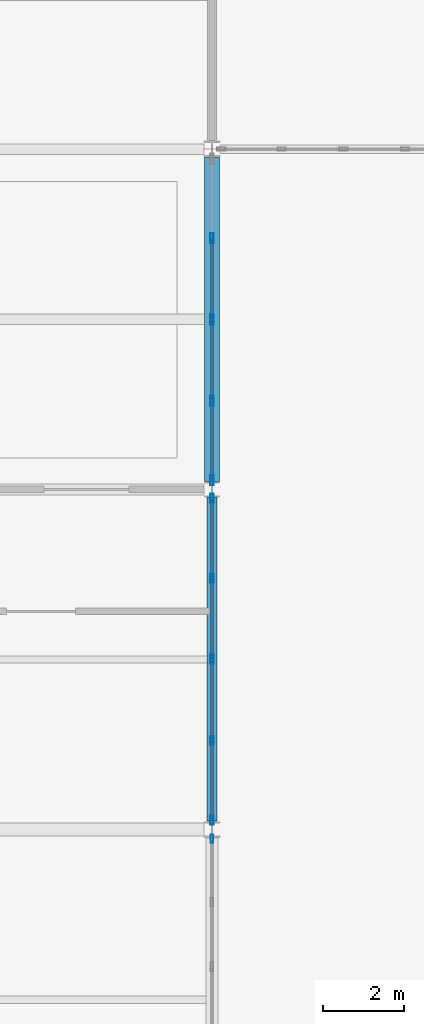
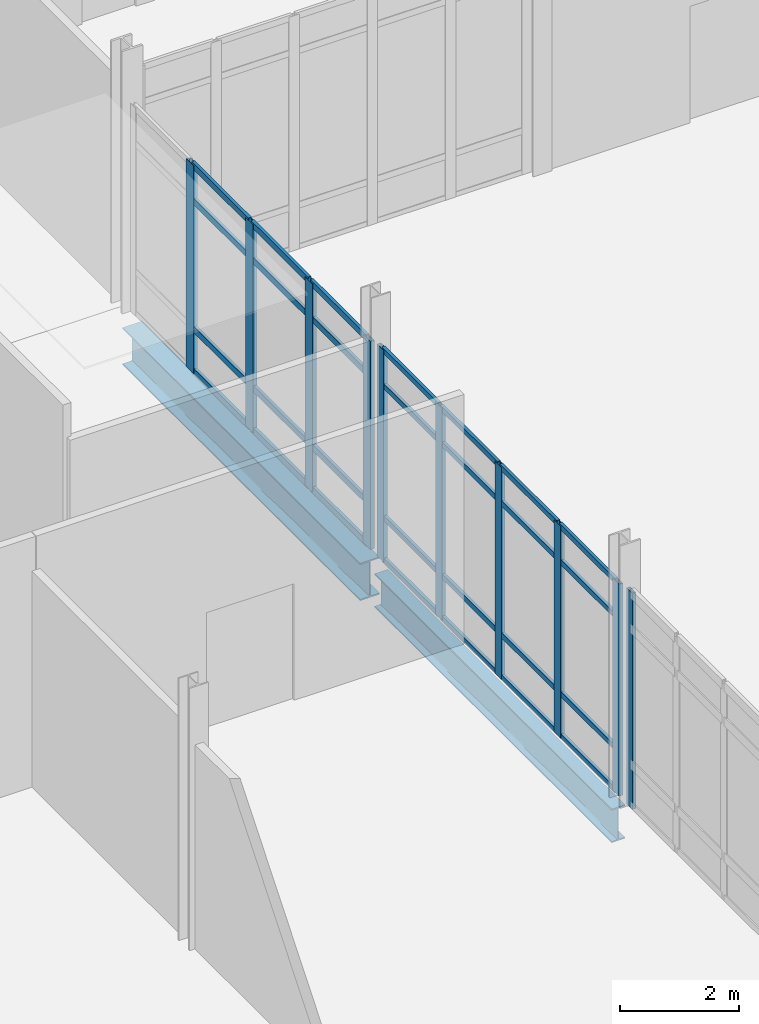
# One storey, part 54 of 229: 38 members, 2 beams, 3 elements without a shape of their own.
"""IFC4 building model written with IfcOpenShell, lengths in metres."""

from ifc_helpers import new_model, si_unit, direction, frame, origin, origin_2d, place, context, subcontext, project, spatial, hollow_rectangle, i_section, extrude, material, layer, layer_set, material_profile, profile_set, type_object, element, aggregate, save


model = new_model("IFC4")

# Units and contexts
model_context = context("Model", 3, precision=1e-05, world=origin(), true_north=direction((0.0, 1.0)))
body_context = subcontext(model_context, "Body", "Model", "MODEL_VIEW")
ifc_project = project(units=[si_unit("LENGTHUNIT", "METRE"), si_unit("AREAUNIT", "SQUARE_METRE"), si_unit("VOLUMEUNIT", "CUBIC_METRE"), si_unit("PLANEANGLEUNIT", "RADIAN"), si_unit("MASSUNIT", "GRAM", prefix="KILO")], contexts=[model_context])

# Site, building, storey
site_placement = place(None, origin())
site = spatial("IfcSite", under=ifc_project, at=site_placement, CompositionType="ELEMENT")
building_placement = place(site_placement, origin())
building = spatial("IfcBuilding", under=site, at=building_placement, Name="Calvrana Isthmian Art Gallery", CompositionType="ELEMENT")
storey_placement = place(building_placement, origin())
storey = spatial("IfcBuildingStorey", under=building, at=storey_placement, Name="L00", CompositionType="ELEMENT", Elevation=0.0)

# Beams
ifc_material_1 = material(Name="Steel ASTM A992 Gr 50", Category="steel")
ifc_material_profile_1 = material_profile(ifc_material_1, i_section(OverallWidth=0.257080078125, OverallDepth=0.693115234375, WebThickness=0.014404296875, FlangeThickness=0.023681640625, FilletRadius=0.02392578125, at=origin_2d()), Name="W27X114")
ifc_profile_set_1 = profile_set([ifc_material_profile_1], Name="Steel ASTM A992 Gr 50")
beam_type_1 = type_object("IfcBeamType", Name="BM-G-W27X114", PredefinedType="BEAM", material=ifc_profile_set_1)
beam_1_placement = place(storey_placement, frame((80.39990234375, 30.20849609375, -0.631591796875), z_axis=(0.0, 1.0, 0.0), x_axis=(-1.0, 0.0, 0.0)))
element("IfcBeam", 1, at=beam_1_placement, inside=storey, type_object=beam_type_1, Name="Girder Y L00 11/E-F", PredefinedType="BEAM", context=body_context, shape_type="SweptSolid", body=[
    extrude(i_section(OverallWidth=0.257080078125, OverallDepth=0.693115234375, WebThickness=0.014404296875, FlangeThickness=0.023681640625, FilletRadius=0.02392578125, at=origin_2d()), origin(), (0.0, 0.0, 1.0), 7.99853515625),
])
ifc_material_profile_2 = material_profile(ifc_material_1, i_section(OverallWidth=0.381103515625, OverallDepth=0.77197265625, WebThickness=0.0166015625, FlangeThickness=0.027099609375, FilletRadius=0.02490234375, at=origin_2d()), Name="W30X173")
ifc_profile_set_2 = profile_set([ifc_material_profile_2], Name="Steel ASTM A992 Gr 50")
beam_type_2 = type_object("IfcBeamType", Name="BM-G-W30X173", PredefinedType="BEAM", material=ifc_profile_set_2)
beam_2_placement = place(storey_placement, frame((80.39990234375, 38.593017578125, -0.6708984375), z_axis=(0.0, 1.0, 0.0), x_axis=(-1.0, 0.0, 0.0)))
element("IfcBeam", 2, at=beam_2_placement, inside=storey, type_object=beam_type_2, Name="Girder Y L00 11/F-G", PredefinedType="BEAM", context=body_context, shape_type="SweptSolid", body=[
    extrude(i_section(OverallWidth=0.381103515625, OverallDepth=0.77197265625, WebThickness=0.0166015625, FlangeThickness=0.027099609375, FilletRadius=0.02490234375, at=origin_2d()), origin(), (0.0, 0.0, 1.0), 8.010009765625),
])

# Curtain wall, member
ifc_material_2 = material(Name="Anodized bronze aluminium 6063-T6", Category="aluminium")
ifc_layer_1 = layer(ifc_material_2, 0.179931640625, Name="Anodized bronze aluminium 6063-T6")
ifc_layer_set_1 = layer_set([ifc_layer_1], Name="Anodized bronze aluminium 6063-T6")
curtain_wall_type_1 = type_object("IfcCurtainWallType", Name="CW-UNIT-080X44", PredefinedType="USERDEFINED", material=ifc_layer_set_1)
curtain_wall_1_placement = place(storey_placement, origin())
curtain_wall_1 = element("IfcCurtainWall", 3, at=curtain_wall_1_placement, inside=storey, type_object=curtain_wall_type_1, Name="Curtain wall CW-069", ObjectType="UNITISED CURTAIN WALL", PredefinedType="USERDEFINED")
ifc_material_profile_3 = material_profile(ifc_material_2, hollow_rectangle(XDim=0.070068359375, YDim=0.199951171875, WallThickness=0.0048828125, at=origin_2d()), Name="CWM70X200")
ifc_profile_set_3 = profile_set([ifc_material_profile_3], Name="Anodized bronze aluminium 6063-T6")
member_type_1 = type_object("IfcMemberType", Name="CWM-CWM70X200", PredefinedType="MULLION", material=ifc_profile_set_3)
member_1_placement = place(storey_placement, frame((80.39990234375, 29.77197265625, 0.0), z_axis=(0.0, 0.0, 1.0), x_axis=(1.0, 0.0, 0.0)))
member_1 = element("IfcMember", 4, at=member_1_placement, type_object=member_type_1, Name="CW-069 mullion 1", PredefinedType="MULLION", context=body_context, shape_type="SweptSolid", body=[
    extrude(hollow_rectangle(XDim=0.070068359375, YDim=0.199951171875, WallThickness=0.0048828125, at=origin_2d()), origin(), (0.0, 0.0, 1.0), 4.447021484375),
])
aggregate(curtain_wall_1, [member_1])

# Curtain wall, members
curtain_wall_2_placement = place(storey_placement, origin())
curtain_wall_2 = element("IfcCurtainWall", 5, at=curtain_wall_2_placement, inside=storey, type_object=curtain_wall_type_1, Name="Curtain wall CW-070", ObjectType="UNITISED CURTAIN WALL", PredefinedType="USERDEFINED")
ifc_material_profile_4 = material_profile(ifc_material_2, hollow_rectangle(XDim=0.074951171875, YDim=0.219970703125, WallThickness=0.0048828125, at=origin_2d()), Name="CWM75X220")
ifc_profile_set_4 = profile_set([ifc_material_profile_4], Name="Anodized bronze aluminium 6063-T6")
member_type_2 = type_object("IfcMemberType", Name="CWM-CWM75X220", PredefinedType="MULLION", material=ifc_profile_set_4)
member_2_placement = place(storey_placement, frame((80.39990234375, 38.176025390625, 0.0), z_axis=(0.0, 0.0, 1.0), x_axis=(1.0, 0.0, 0.0)))
member_2 = element("IfcMember", 6, at=member_2_placement, type_object=member_type_2, Name="CW-070 mullion 1", PredefinedType="MULLION", context=body_context, shape_type="SweptSolid", body=[
    extrude(hollow_rectangle(XDim=0.074951171875, YDim=0.219970703125, WallThickness=0.0048828125, at=origin_2d()), origin(), (0.0, 0.0, 1.0), 4.367919921875),
])
member_3_placement = place(storey_placement, frame((80.39990234375, 36.20849609375, 0.0), z_axis=(0.0, 0.0, 1.0), x_axis=(1.0, 0.0, 0.0)))
member_3 = element("IfcMember", 7, at=member_3_placement, type_object=member_type_2, Name="CW-070 mullion 2", PredefinedType="MULLION", context=body_context, shape_type="SweptSolid", body=[
    extrude(hollow_rectangle(XDim=0.074951171875, YDim=0.219970703125, WallThickness=0.0048828125, at=origin_2d()), origin(), (0.0, 0.0, 1.0), 4.367919921875),
])
member_4_placement = place(storey_placement, frame((80.39990234375, 34.203369140625, 0.0), z_axis=(0.0, 0.0, 1.0), x_axis=(1.0, 0.0, 0.0)))
member_4 = element("IfcMember", 8, at=member_4_placement, type_object=member_type_2, Name="CW-070 mullion 3", PredefinedType="MULLION", context=body_context, shape_type="SweptSolid", body=[
    extrude(hollow_rectangle(XDim=0.074951171875, YDim=0.219970703125, WallThickness=0.0048828125, at=origin_2d()), origin(), (0.0, 0.0, 1.0), 4.367919921875),
])
member_5_placement = place(storey_placement, frame((80.39990234375, 32.1982421875, 0.0), z_axis=(0.0, 0.0, 1.0), x_axis=(1.0, 0.0, 0.0)))
member_5 = element("IfcMember", 9, at=member_5_placement, type_object=member_type_2, Name="CW-070 mullion 4", PredefinedType="MULLION", context=body_context, shape_type="SweptSolid", body=[
    extrude(hollow_rectangle(XDim=0.074951171875, YDim=0.219970703125, WallThickness=0.0048828125, at=origin_2d()), origin(), (0.0, 0.0, 1.0), 4.367919921875),
])
member_6_placement = place(storey_placement, frame((80.39990234375, 30.23046875, 0.0), z_axis=(0.0, 0.0, 1.0), x_axis=(1.0, 0.0, 0.0)))
member_6 = element("IfcMember", 10, at=member_6_placement, type_object=member_type_2, Name="CW-070 mullion 5", PredefinedType="MULLION", context=body_context, shape_type="SweptSolid", body=[
    extrude(hollow_rectangle(XDim=0.074951171875, YDim=0.219970703125, WallThickness=0.0048828125, at=origin_2d()), origin(), (0.0, 0.0, 1.0), 4.367919921875),
])

ifc_layer_2 = layer(ifc_material_2, 0.179931640625, Name="Anodized bronze aluminium 6063-T6")
ifc_layer_set_2 = layer_set([ifc_layer_2], Name="Anodized bronze aluminium 6063-T6")
curtain_wall_type_2 = type_object("IfcCurtainWallType", Name="CW-STICK-080X43", PredefinedType="NOTDEFINED", material=ifc_layer_set_2)
curtain_wall_3_placement = place(storey_placement, origin())
curtain_wall_3 = element("IfcCurtainWall", 11, at=curtain_wall_3_placement, inside=storey, type_object=curtain_wall_type_2, Name="Curtain wall CW-071", PredefinedType="NOTDEFINED")
ifc_material_profile_5 = material_profile(ifc_material_2, hollow_rectangle(XDim=0.080078125, YDim=0.25, WallThickness=0.005615234375, at=origin_2d()), Name="CWM80X250")
ifc_profile_set_5 = profile_set([ifc_material_profile_5], Name="Anodized bronze aluminium 6063-T6")
member_type_3 = type_object("IfcMemberType", Name="CWM-CWM80X250", PredefinedType="MULLION", material=ifc_profile_set_5)
member_7_placement = place(storey_placement, frame((80.39990234375, 44.596923828125, 0.0), z_axis=(0.0, 0.0, 1.0), x_axis=(1.0, 0.0, 0.0)))
member_7 = element("IfcMember", 12, at=member_7_placement, type_object=member_type_3, Name="CW-071 mullion 2", PredefinedType="MULLION", context=body_context, shape_type="SweptSolid", body=[
    extrude(hollow_rectangle(XDim=0.080078125, YDim=0.25, WallThickness=0.005615234375, at=origin_2d()), origin(), (0.0, 0.0, 1.0), 4.283935546875),
])
member_8_placement = place(storey_placement, frame((80.39990234375, 42.593505859375, 0.0), z_axis=(0.0, 0.0, 1.0), x_axis=(1.0, 0.0, 0.0)))
member_8 = element("IfcMember", 13, at=member_8_placement, type_object=member_type_3, Name="CW-071 mullion 3", PredefinedType="MULLION", context=body_context, shape_type="SweptSolid", body=[
    extrude(hollow_rectangle(XDim=0.080078125, YDim=0.25, WallThickness=0.005615234375, at=origin_2d()), origin(), (0.0, 0.0, 1.0), 4.283935546875),
])
member_9_placement = place(storey_placement, frame((80.39990234375, 40.590087890625, 0.0), z_axis=(0.0, 0.0, 1.0), x_axis=(1.0, 0.0, 0.0)))
member_9 = element("IfcMember", 14, at=member_9_placement, type_object=member_type_3, Name="CW-071 mullion 4", PredefinedType="MULLION", context=body_context, shape_type="SweptSolid", body=[
    extrude(hollow_rectangle(XDim=0.080078125, YDim=0.25, WallThickness=0.005615234375, at=origin_2d()), origin(), (0.0, 0.0, 1.0), 4.283935546875),
])
member_10_placement = place(storey_placement, frame((80.39990234375, 38.62646484375, 0.0), z_axis=(0.0, 0.0, 1.0), x_axis=(1.0, 0.0, 0.0)))
member_10 = element("IfcMember", 15, at=member_10_placement, type_object=member_type_3, Name="CW-071 mullion 5", PredefinedType="MULLION", context=body_context, shape_type="SweptSolid", body=[
    extrude(hollow_rectangle(XDim=0.080078125, YDim=0.25, WallThickness=0.005615234375, at=origin_2d()), origin(), (0.0, 0.0, 1.0), 4.283935546875),
])

# Member
ifc_material_profile_6 = material_profile(ifc_material_2, hollow_rectangle(XDim=0.06005859375, YDim=0.110107421875, WallThickness=0.00341796875, at=origin_2d()), Name="CWT60X110")
ifc_profile_set_6 = profile_set([ifc_material_profile_6], Name="Anodized bronze aluminium 6063-T6")
member_type_4 = type_object("IfcMemberType", Name="CWT-CWT60X110", PredefinedType="USERDEFINED", material=ifc_profile_set_6)
member_11_placement = place(storey_placement, frame((80.39990234375, 38.138427734375, 0.030029296875), z_axis=(0.0, -1.0, 0.0), x_axis=(1.0, 0.0, 0.0)))
member_11 = element("IfcMember", 16, at=member_11_placement, type_object=member_type_4, Name="CW-070 transom 1.1", ObjectType="TRANSOM", PredefinedType="USERDEFINED", context=body_context, shape_type="SweptSolid", body=[
    extrude(hollow_rectangle(XDim=0.06005859375, YDim=0.110107421875, WallThickness=0.00341796875, at=origin_2d()), origin(), (0.0, 0.0, 1.0), 1.892578125),
])

member_12_placement = place(storey_placement, frame((80.39990234375, 38.138427734375, 0.89990234375), z_axis=(0.0, -1.0, 0.0), x_axis=(1.0, 0.0, 0.0)))
member_12 = element("IfcMember", 17, at=member_12_placement, type_object=member_type_4, Name="CW-070 transom 1.2", ObjectType="TRANSOM", PredefinedType="USERDEFINED", context=body_context, shape_type="SweptSolid", body=[
    extrude(hollow_rectangle(XDim=0.06005859375, YDim=0.110107421875, WallThickness=0.00341796875, at=origin_2d()), origin(), (0.0, 0.0, 1.0), 1.892578125),
])

member_13_placement = place(storey_placement, frame((80.39990234375, 38.138427734375, 3.617919921875), z_axis=(0.0, -1.0, 0.0), x_axis=(1.0, 0.0, 0.0)))
member_13 = element("IfcMember", 18, at=member_13_placement, type_object=member_type_4, Name="CW-070 transom 1.3", ObjectType="TRANSOM", PredefinedType="USERDEFINED", context=body_context, shape_type="SweptSolid", body=[
    extrude(hollow_rectangle(XDim=0.06005859375, YDim=0.110107421875, WallThickness=0.00341796875, at=origin_2d()), origin(), (0.0, 0.0, 1.0), 1.892578125),
])

member_14_placement = place(storey_placement, frame((80.39990234375, 38.138427734375, 4.337890625), z_axis=(0.0, -1.0, 0.0), x_axis=(1.0, 0.0, 0.0)))
member_14 = element("IfcMember", 19, at=member_14_placement, type_object=member_type_4, Name="CW-070 transom 1.4", ObjectType="TRANSOM", PredefinedType="USERDEFINED", context=body_context, shape_type="SweptSolid", body=[
    extrude(hollow_rectangle(XDim=0.06005859375, YDim=0.110107421875, WallThickness=0.00341796875, at=origin_2d()), origin(), (0.0, 0.0, 1.0), 1.892578125),
])

member_15_placement = place(storey_placement, frame((80.39990234375, 36.1708984375, 0.030029296875), z_axis=(0.0, -1.0, 0.0), x_axis=(1.0, 0.0, 0.0)))
member_15 = element("IfcMember", 20, at=member_15_placement, type_object=member_type_4, Name="CW-070 transom 2.1", ObjectType="TRANSOM", PredefinedType="USERDEFINED", context=body_context, shape_type="SweptSolid", body=[
    extrude(hollow_rectangle(XDim=0.06005859375, YDim=0.110107421875, WallThickness=0.00341796875, at=origin_2d()), origin(), (0.0, 0.0, 1.0), 1.93017578125),
])

member_16_placement = place(storey_placement, frame((80.39990234375, 36.1708984375, 0.89990234375), z_axis=(0.0, -1.0, 0.0), x_axis=(1.0, 0.0, 0.0)))
member_16 = element("IfcMember", 21, at=member_16_placement, type_object=member_type_4, Name="CW-070 transom 2.2", ObjectType="TRANSOM", PredefinedType="USERDEFINED", context=body_context, shape_type="SweptSolid", body=[
    extrude(hollow_rectangle(XDim=0.06005859375, YDim=0.110107421875, WallThickness=0.00341796875, at=origin_2d()), origin(), (0.0, 0.0, 1.0), 1.93017578125),
])

member_17_placement = place(storey_placement, frame((80.39990234375, 36.1708984375, 3.617919921875), z_axis=(0.0, -1.0, 0.0), x_axis=(1.0, 0.0, 0.0)))
member_17 = element("IfcMember", 22, at=member_17_placement, type_object=member_type_4, Name="CW-070 transom 2.3", ObjectType="TRANSOM", PredefinedType="USERDEFINED", context=body_context, shape_type="SweptSolid", body=[
    extrude(hollow_rectangle(XDim=0.06005859375, YDim=0.110107421875, WallThickness=0.00341796875, at=origin_2d()), origin(), (0.0, 0.0, 1.0), 1.93017578125),
])

member_18_placement = place(storey_placement, frame((80.39990234375, 36.1708984375, 4.337890625), z_axis=(0.0, -1.0, 0.0), x_axis=(1.0, 0.0, 0.0)))
member_18 = element("IfcMember", 23, at=member_18_placement, type_object=member_type_4, Name="CW-070 transom 2.4", ObjectType="TRANSOM", PredefinedType="USERDEFINED", context=body_context, shape_type="SweptSolid", body=[
    extrude(hollow_rectangle(XDim=0.06005859375, YDim=0.110107421875, WallThickness=0.00341796875, at=origin_2d()), origin(), (0.0, 0.0, 1.0), 1.93017578125),
])

member_19_placement = place(storey_placement, frame((80.39990234375, 34.165771484375, 0.030029296875), z_axis=(0.0, -1.0, 0.0), x_axis=(1.0, 0.0, 0.0)))
member_19 = element("IfcMember", 24, at=member_19_placement, type_object=member_type_4, Name="CW-070 transom 3.1", ObjectType="TRANSOM", PredefinedType="USERDEFINED", context=body_context, shape_type="SweptSolid", body=[
    extrude(hollow_rectangle(XDim=0.06005859375, YDim=0.110107421875, WallThickness=0.00341796875, at=origin_2d()), origin(), (0.0, 0.0, 1.0), 1.93017578125),
])

member_20_placement = place(storey_placement, frame((80.39990234375, 34.165771484375, 0.89990234375), z_axis=(0.0, -1.0, 0.0), x_axis=(1.0, 0.0, 0.0)))
member_20 = element("IfcMember", 25, at=member_20_placement, type_object=member_type_4, Name="CW-070 transom 3.2", ObjectType="TRANSOM", PredefinedType="USERDEFINED", context=body_context, shape_type="SweptSolid", body=[
    extrude(hollow_rectangle(XDim=0.06005859375, YDim=0.110107421875, WallThickness=0.00341796875, at=origin_2d()), origin(), (0.0, 0.0, 1.0), 1.93017578125),
])

member_21_placement = place(storey_placement, frame((80.39990234375, 34.165771484375, 3.617919921875), z_axis=(0.0, -1.0, 0.0), x_axis=(1.0, 0.0, 0.0)))
member_21 = element("IfcMember", 26, at=member_21_placement, type_object=member_type_4, Name="CW-070 transom 3.3", ObjectType="TRANSOM", PredefinedType="USERDEFINED", context=body_context, shape_type="SweptSolid", body=[
    extrude(hollow_rectangle(XDim=0.06005859375, YDim=0.110107421875, WallThickness=0.00341796875, at=origin_2d()), origin(), (0.0, 0.0, 1.0), 1.93017578125),
])

member_22_placement = place(storey_placement, frame((80.39990234375, 34.165771484375, 4.337890625), z_axis=(0.0, -1.0, 0.0), x_axis=(1.0, 0.0, 0.0)))
member_22 = element("IfcMember", 27, at=member_22_placement, type_object=member_type_4, Name="CW-070 transom 3.4", ObjectType="TRANSOM", PredefinedType="USERDEFINED", context=body_context, shape_type="SweptSolid", body=[
    extrude(hollow_rectangle(XDim=0.06005859375, YDim=0.110107421875, WallThickness=0.00341796875, at=origin_2d()), origin(), (0.0, 0.0, 1.0), 1.93017578125),
])

member_23_placement = place(storey_placement, frame((80.39990234375, 32.16064453125, 0.030029296875), z_axis=(0.0, -1.0, 0.0), x_axis=(1.0, 0.0, 0.0)))
member_23 = element("IfcMember", 28, at=member_23_placement, type_object=member_type_4, Name="CW-070 transom 4.1", ObjectType="TRANSOM", PredefinedType="USERDEFINED", context=body_context, shape_type="SweptSolid", body=[
    extrude(hollow_rectangle(XDim=0.06005859375, YDim=0.110107421875, WallThickness=0.00341796875, at=origin_2d()), origin(), (0.0, 0.0, 1.0), 1.892578125),
])

member_24_placement = place(storey_placement, frame((80.39990234375, 32.16064453125, 0.89990234375), z_axis=(0.0, -1.0, 0.0), x_axis=(1.0, 0.0, 0.0)))
member_24 = element("IfcMember", 29, at=member_24_placement, type_object=member_type_4, Name="CW-070 transom 4.2", ObjectType="TRANSOM", PredefinedType="USERDEFINED", context=body_context, shape_type="SweptSolid", body=[
    extrude(hollow_rectangle(XDim=0.06005859375, YDim=0.110107421875, WallThickness=0.00341796875, at=origin_2d()), origin(), (0.0, 0.0, 1.0), 1.892578125),
])

member_25_placement = place(storey_placement, frame((80.39990234375, 32.16064453125, 3.617919921875), z_axis=(0.0, -1.0, 0.0), x_axis=(1.0, 0.0, 0.0)))
member_25 = element("IfcMember", 30, at=member_25_placement, type_object=member_type_4, Name="CW-070 transom 4.3", ObjectType="TRANSOM", PredefinedType="USERDEFINED", context=body_context, shape_type="SweptSolid", body=[
    extrude(hollow_rectangle(XDim=0.06005859375, YDim=0.110107421875, WallThickness=0.00341796875, at=origin_2d()), origin(), (0.0, 0.0, 1.0), 1.892578125),
])

member_26_placement = place(storey_placement, frame((80.39990234375, 32.16064453125, 4.337890625), z_axis=(0.0, -1.0, 0.0), x_axis=(1.0, 0.0, 0.0)))
member_26 = element("IfcMember", 31, at=member_26_placement, type_object=member_type_4, Name="CW-070 transom 4.4", ObjectType="TRANSOM", PredefinedType="USERDEFINED", context=body_context, shape_type="SweptSolid", body=[
    extrude(hollow_rectangle(XDim=0.06005859375, YDim=0.110107421875, WallThickness=0.00341796875, at=origin_2d()), origin(), (0.0, 0.0, 1.0), 1.892578125),
])

aggregate(curtain_wall_2, [member_2, member_3, member_4, member_5, member_6, member_11, member_12, member_13, member_14, member_15, member_16, member_17, member_18, member_19, member_20, member_21, member_22, member_23, member_24, member_25, member_26])

ifc_material_profile_7 = material_profile(ifc_material_2, hollow_rectangle(XDim=0.06005859375, YDim=0.1298828125, WallThickness=0.00390625, at=origin_2d()), Name="CWT60X130")
ifc_profile_set_7 = profile_set([ifc_material_profile_7], Name="Anodized bronze aluminium 6063-T6")
member_type_5 = type_object("IfcMemberType", Name="CWT-CWT60X130", PredefinedType="USERDEFINED", material=ifc_profile_set_7)
member_27_placement = place(storey_placement, frame((80.39990234375, 44.556884765625, 0.030029296875), z_axis=(0.0, -1.0, 0.0), x_axis=(1.0, 0.0, 0.0)))
member_27 = element("IfcMember", 32, at=member_27_placement, type_object=member_type_5, Name="CW-071 transom 2.1", ObjectType="TRANSOM", PredefinedType="USERDEFINED", context=body_context, shape_type="SweptSolid", body=[
    extrude(hollow_rectangle(XDim=0.06005859375, YDim=0.1298828125, WallThickness=0.00390625, at=origin_2d()), origin(), (0.0, 0.0, 1.0), 1.92333984375),
])

member_28_placement = place(storey_placement, frame((80.39990234375, 44.556884765625, 0.89990234375), z_axis=(0.0, -1.0, 0.0), x_axis=(1.0, 0.0, 0.0)))
member_28 = element("IfcMember", 33, at=member_28_placement, type_object=member_type_5, Name="CW-071 transom 2.2", ObjectType="TRANSOM", PredefinedType="USERDEFINED", context=body_context, shape_type="SweptSolid", body=[
    extrude(hollow_rectangle(XDim=0.06005859375, YDim=0.1298828125, WallThickness=0.00390625, at=origin_2d()), origin(), (0.0, 0.0, 1.0), 1.92333984375),
])

member_29_placement = place(storey_placement, frame((80.39990234375, 44.556884765625, 3.533935546875), z_axis=(0.0, -1.0, 0.0), x_axis=(1.0, 0.0, 0.0)))
member_29 = element("IfcMember", 34, at=member_29_placement, type_object=member_type_5, Name="CW-071 transom 2.3", ObjectType="TRANSOM", PredefinedType="USERDEFINED", context=body_context, shape_type="SweptSolid", body=[
    extrude(hollow_rectangle(XDim=0.06005859375, YDim=0.1298828125, WallThickness=0.00390625, at=origin_2d()), origin(), (0.0, 0.0, 1.0), 1.92333984375),
])

member_30_placement = place(storey_placement, frame((80.39990234375, 44.556884765625, 4.25390625), z_axis=(0.0, -1.0, 0.0), x_axis=(1.0, 0.0, 0.0)))
member_30 = element("IfcMember", 35, at=member_30_placement, type_object=member_type_5, Name="CW-071 transom 2.4", ObjectType="TRANSOM", PredefinedType="USERDEFINED", context=body_context, shape_type="SweptSolid", body=[
    extrude(hollow_rectangle(XDim=0.06005859375, YDim=0.1298828125, WallThickness=0.00390625, at=origin_2d()), origin(), (0.0, 0.0, 1.0), 1.92333984375),
])

member_31_placement = place(storey_placement, frame((80.39990234375, 42.553466796875, 0.030029296875), z_axis=(0.0, -1.0, 0.0), x_axis=(1.0, 0.0, 0.0)))
member_31 = element("IfcMember", 36, at=member_31_placement, type_object=member_type_5, Name="CW-071 transom 3.1", ObjectType="TRANSOM", PredefinedType="USERDEFINED", context=body_context, shape_type="SweptSolid", body=[
    extrude(hollow_rectangle(XDim=0.06005859375, YDim=0.1298828125, WallThickness=0.00390625, at=origin_2d()), origin(), (0.0, 0.0, 1.0), 1.923583984375),
])

member_32_placement = place(storey_placement, frame((80.39990234375, 42.553466796875, 0.89990234375), z_axis=(0.0, -1.0, 0.0), x_axis=(1.0, 0.0, 0.0)))
member_32 = element("IfcMember", 37, at=member_32_placement, type_object=member_type_5, Name="CW-071 transom 3.2", ObjectType="TRANSOM", PredefinedType="USERDEFINED", context=body_context, shape_type="SweptSolid", body=[
    extrude(hollow_rectangle(XDim=0.06005859375, YDim=0.1298828125, WallThickness=0.00390625, at=origin_2d()), origin(), (0.0, 0.0, 1.0), 1.923583984375),
])

member_33_placement = place(storey_placement, frame((80.39990234375, 42.553466796875, 3.533935546875), z_axis=(0.0, -1.0, 0.0), x_axis=(1.0, 0.0, 0.0)))
member_33 = element("IfcMember", 38, at=member_33_placement, type_object=member_type_5, Name="CW-071 transom 3.3", ObjectType="TRANSOM", PredefinedType="USERDEFINED", context=body_context, shape_type="SweptSolid", body=[
    extrude(hollow_rectangle(XDim=0.06005859375, YDim=0.1298828125, WallThickness=0.00390625, at=origin_2d()), origin(), (0.0, 0.0, 1.0), 1.923583984375),
])

member_34_placement = place(storey_placement, frame((80.39990234375, 42.553466796875, 4.25390625), z_axis=(0.0, -1.0, 0.0), x_axis=(1.0, 0.0, 0.0)))
member_34 = element("IfcMember", 39, at=member_34_placement, type_object=member_type_5, Name="CW-071 transom 3.4", ObjectType="TRANSOM", PredefinedType="USERDEFINED", context=body_context, shape_type="SweptSolid", body=[
    extrude(hollow_rectangle(XDim=0.06005859375, YDim=0.1298828125, WallThickness=0.00390625, at=origin_2d()), origin(), (0.0, 0.0, 1.0), 1.923583984375),
])

member_35_placement = place(storey_placement, frame((80.39990234375, 40.550048828125, 0.030029296875), z_axis=(0.0, -1.0, 0.0), x_axis=(1.0, 0.0, 0.0)))
member_35 = element("IfcMember", 40, at=member_35_placement, type_object=member_type_5, Name="CW-071 transom 4.1", ObjectType="TRANSOM", PredefinedType="USERDEFINED", context=body_context, shape_type="SweptSolid", body=[
    extrude(hollow_rectangle(XDim=0.06005859375, YDim=0.1298828125, WallThickness=0.00390625, at=origin_2d()), origin(), (0.0, 0.0, 1.0), 1.883544921875),
])

member_36_placement = place(storey_placement, frame((80.39990234375, 40.550048828125, 0.89990234375), z_axis=(0.0, -1.0, 0.0), x_axis=(1.0, 0.0, 0.0)))
member_36 = element("IfcMember", 41, at=member_36_placement, type_object=member_type_5, Name="CW-071 transom 4.2", ObjectType="TRANSOM", PredefinedType="USERDEFINED", context=body_context, shape_type="SweptSolid", body=[
    extrude(hollow_rectangle(XDim=0.06005859375, YDim=0.1298828125, WallThickness=0.00390625, at=origin_2d()), origin(), (0.0, 0.0, 1.0), 1.883544921875),
])

member_37_placement = place(storey_placement, frame((80.39990234375, 40.550048828125, 3.533935546875), z_axis=(0.0, -1.0, 0.0), x_axis=(1.0, 0.0, 0.0)))
member_37 = element("IfcMember", 42, at=member_37_placement, type_object=member_type_5, Name="CW-071 transom 4.3", ObjectType="TRANSOM", PredefinedType="USERDEFINED", context=body_context, shape_type="SweptSolid", body=[
    extrude(hollow_rectangle(XDim=0.06005859375, YDim=0.1298828125, WallThickness=0.00390625, at=origin_2d()), origin(), (0.0, 0.0, 1.0), 1.883544921875),
])

member_38_placement = place(storey_placement, frame((80.39990234375, 40.550048828125, 4.25390625), z_axis=(0.0, -1.0, 0.0), x_axis=(1.0, 0.0, 0.0)))
member_38 = element("IfcMember", 43, at=member_38_placement, type_object=member_type_5, Name="CW-071 transom 4.4", ObjectType="TRANSOM", PredefinedType="USERDEFINED", context=body_context, shape_type="SweptSolid", body=[
    extrude(hollow_rectangle(XDim=0.06005859375, YDim=0.1298828125, WallThickness=0.00390625, at=origin_2d()), origin(), (0.0, 0.0, 1.0), 1.883544921875),
])

aggregate(curtain_wall_3, [member_7, member_8, member_9, member_10, member_27, member_28, member_29, member_30, member_31, member_32, member_33, member_34, member_35, member_36, member_37, member_38])

save(model, "model.ifc")
